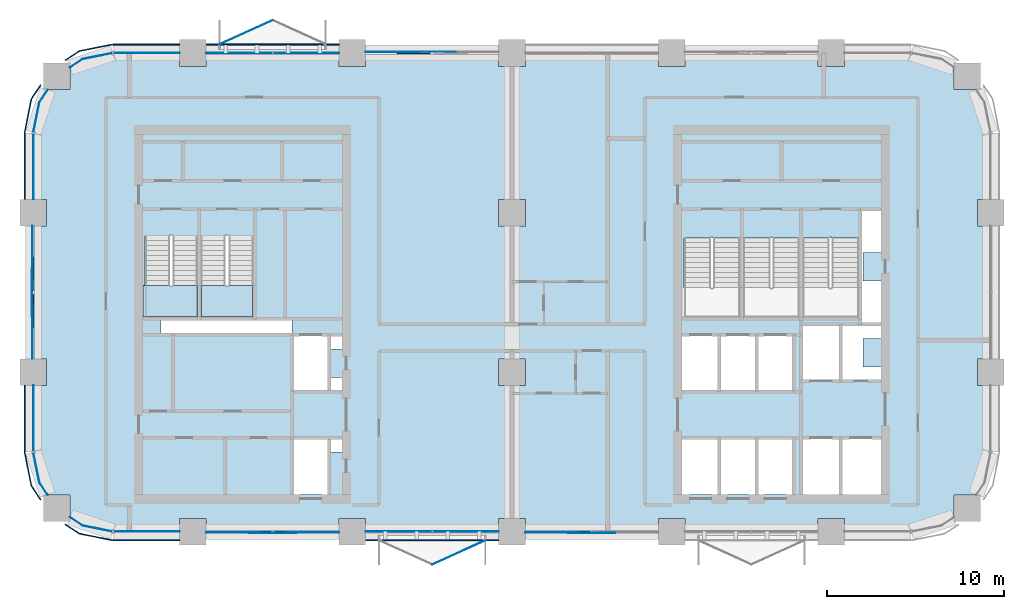
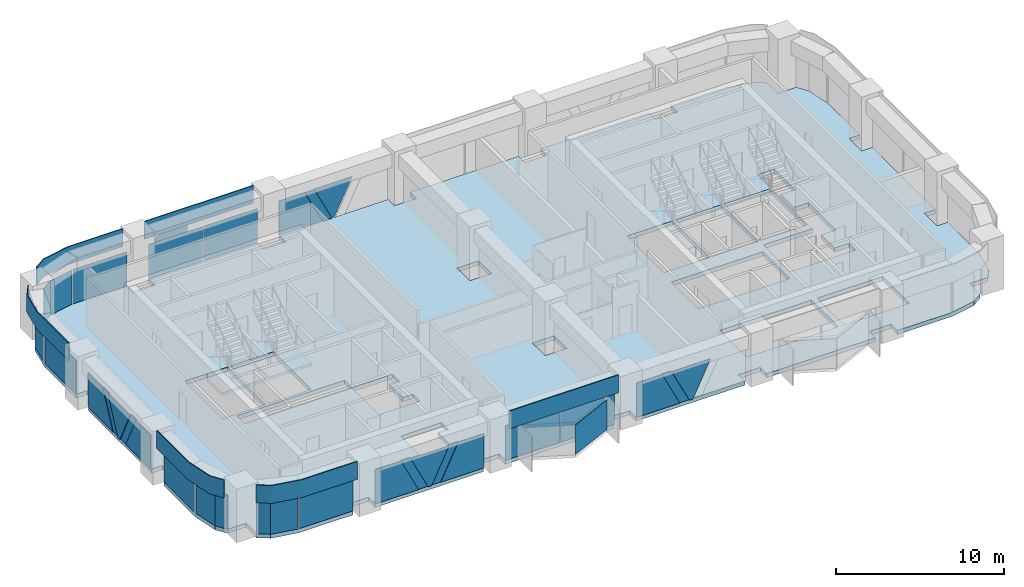
# One storey, part 6 of 13: 36 plates, 3 slabs, 12 elements without a shape of their own.
"""IFC4 building model written with IfcOpenShell, lengths in metres."""

from ifc_helpers import new_model, si_unit, direction, frame, origin, origin_2d, place, context, subcontext, project, spatial, polyline, rectangle, outline, extrude, material, layer, layer_set, type_object, element, aggregate, save


model = new_model("IFC4")

# Units and contexts
model_context = context("Model", 3, precision=1e-05, world=origin(), true_north=direction((0.0, 1.0)))
body_context = subcontext(model_context, "Body", "Model", "MODEL_VIEW")
ifc_project = project(units=[si_unit("LENGTHUNIT", "METRE"), si_unit("AREAUNIT", "SQUARE_METRE"), si_unit("VOLUMEUNIT", "CUBIC_METRE"), si_unit("PLANEANGLEUNIT", "RADIAN"), si_unit("MASSUNIT", "GRAM", prefix="KILO")], contexts=[model_context])

# Site, building, storey
site_placement = place(None, origin())
site = spatial("IfcSite", under=ifc_project, at=site_placement, CompositionType="ELEMENT")
building_placement = place(site_placement, origin())
building = spatial("IfcBuilding", under=site, at=building_placement, Name="Tessera Arch", CompositionType="ELEMENT")
storey_placement = place(building_placement, frame((0.0, 0.0, 189.5)))
storey = spatial("IfcBuildingStorey", under=building, at=storey_placement, Name="L45", CompositionType="ELEMENT", Elevation=189.5)

# Curtain wall, plates
ifc_material_1 = material(Name="CW1 curtain wall")
curtain_wall_type_1 = type_object("IfcCurtainWallType", Name="CW1 curtain wall", PredefinedType="NOTDEFINED", material=ifc_material_1)
curtain_wall_1_placement = place(storey_placement, origin())
curtain_wall_1 = element("IfcCurtainWall", 1, at=curtain_wall_1_placement, inside=storey, type_object=curtain_wall_type_1, Name="CW1 curtain wall N54.0/4 L45", PredefinedType="NOTDEFINED")
ifc_material_2 = material(Name="Clear low-e glass", Category="glass")
ifc_material_3 = material(Name="Clear low-e glass", Category="glass")
ifc_layer_1 = layer(ifc_material_3, 0.028076171875)
ifc_layer_set_1 = layer_set([ifc_layer_1], Name="CW1 glass panel")
plate_type_1 = type_object("IfcPlateType", Name="CW1 glass panel", PredefinedType="CURTAIN_PANEL", material=ifc_layer_set_1)
plate_1_placement = place(storey_placement, frame((15.389892578125, 54.0, 0.0), z_axis=(0.0, 0.0, 1.0), x_axis=(-1.0, 0.0, 0.0)))
plate_1 = element("IfcPlate", 2, at=plate_1_placement, type_object=plate_type_1, material=ifc_material_2, Name="CW1 glass panel N54.0/4 1.1.1", PredefinedType="CURTAIN_PANEL", context=body_context, shape_type="SweptSolid", body=[
    extrude(rectangle(XDim=3.719970703125, YDim=0.028076171875, at=origin_2d()), origin(), (0.0, 0.0, 1.0), 2.5),
])
plate_2_placement = place(storey_placement, frame((11.610107421875, 54.0, 0.0), z_axis=(0.0, 0.0, 1.0), x_axis=(-1.0, 0.0, 0.0)))
plate_2 = element("IfcPlate", 3, at=plate_2_placement, type_object=plate_type_1, material=ifc_material_2, Name="CW1 glass panel N54.0/4 1.2.1", PredefinedType="CURTAIN_PANEL", context=body_context, shape_type="SweptSolid", body=[
    extrude(rectangle(XDim=3.719970703125, YDim=0.028076171875, at=origin_2d()), origin(), (0.0, 0.0, 1.0), 2.5),
])

curtain_wall_2_placement = place(storey_placement, origin())
curtain_wall_2 = element("IfcCurtainWall", 4, at=curtain_wall_2_placement, inside=storey, type_object=curtain_wall_type_1, Name="CW1 curtain wall S27.0/2 L45", PredefinedType="NOTDEFINED")
plate_3_placement = place(storey_placement, frame((20.610107421875, 27.0, 0.0), z_axis=(0.0, 0.0, 1.0), x_axis=(1.0, 0.0, 0.0)))
plate_3 = element("IfcPlate", 5, at=plate_3_placement, type_object=plate_type_1, material=ifc_material_2, Name="CW1 glass panel S27.0/2 1.1.1", PredefinedType="CURTAIN_PANEL", context=body_context, shape_type="SweptSolid", body=[
    extrude(rectangle(XDim=3.719970703125, YDim=0.028076171875, at=origin_2d()), origin(), (0.0, 0.0, 1.0), 2.5),
])
plate_4_placement = place(storey_placement, frame((24.389892578125, 27.0, 0.0), z_axis=(0.0, 0.0, 1.0), x_axis=(1.0, 0.0, 0.0)))
plate_4 = element("IfcPlate", 6, at=plate_4_placement, type_object=plate_type_1, material=ifc_material_2, Name="CW1 glass panel S27.0/2 1.2.1", PredefinedType="CURTAIN_PANEL", context=body_context, shape_type="SweptSolid", body=[
    extrude(rectangle(XDim=3.719970703125, YDim=0.028076171875, at=origin_2d()), origin(), (0.0, 0.0, 1.0), 2.5),
])

# Plate
ifc_material_4 = material(Name="Pale anodised aluminium panel", Category="aluminium")
ifc_layer_2 = layer(ifc_material_4, 0.06005859375)
ifc_layer_set_2 = layer_set([ifc_layer_2], Name="CW1 spandrel panel")
plate_type_2 = type_object("IfcPlateType", Name="CW1 spandrel panel", PredefinedType="CURTAIN_PANEL", material=ifc_layer_set_2)
plate_5_placement = place(storey_placement, frame((13.5, 54.47998046875, 2.60009765625), z_axis=(0.0, 0.0, 1.0), x_axis=(-1.0, 0.0, 0.0)))
plate_5 = element("IfcPlate", 7, at=plate_5_placement, type_object=plate_type_2, Name="CW1 spandrel panel N54.0/4", PredefinedType="CURTAIN_PANEL", context=body_context, shape_type="SweptSolid", body=[
    extrude(rectangle(XDim=7.5, YDim=0.06005859375, at=origin_2d()), origin(), (0.0, 0.0, 1.0), 1.300048828125),
])

aggregate(curtain_wall_1, [plate_1, plate_2, plate_5])

plate_6_placement = place(storey_placement, frame((22.5, 26.52001953125, 2.60009765625), z_axis=(0.0, 0.0, 1.0), x_axis=(1.0, 0.0, 0.0)))
plate_6 = element("IfcPlate", 8, at=plate_6_placement, type_object=plate_type_2, Name="CW1 spandrel panel S27.0/2", PredefinedType="CURTAIN_PANEL", context=body_context, shape_type="SweptSolid", body=[
    extrude(rectangle(XDim=7.5, YDim=0.06005859375, at=origin_2d()), origin(), (0.0, 0.0, 1.0), 1.300048828125),
])

aggregate(curtain_wall_2, [plate_3, plate_4, plate_6])

# Curtain wall, plates
ifc_material_5 = material(Name="CW2 curtain wall")
curtain_wall_type_2 = type_object("IfcCurtainWallType", Name="CW2 curtain wall", PredefinedType="NOTDEFINED", material=ifc_material_5)
curtain_wall_3_placement = place(storey_placement, origin())
curtain_wall_3 = element("IfcCurtainWall", 9, at=curtain_wall_3_placement, inside=storey, type_object=curtain_wall_type_2, Name="CW2 curtain wall N54.0/5 L45", PredefinedType="NOTDEFINED")
ifc_material_6 = material(Name="Clear low-e glass", Category="glass")
ifc_layer_3 = layer(ifc_material_6, 0.028076171875)
ifc_layer_set_3 = layer_set([ifc_layer_3], Name="CW2 glass panel")
plate_type_3 = type_object("IfcPlateType", Name="CW2 glass panel", PredefinedType="CURTAIN_PANEL", material=ifc_layer_set_3)
plate_7_placement = place(storey_placement, frame((6.39501953125, 54.0, 0.0), z_axis=(0.0, 0.0, 1.0), x_axis=(-1.0, 0.0, 0.0)))
plate_7 = element("IfcPlate", 10, at=plate_7_placement, type_object=plate_type_3, material=ifc_material_2, Name="CW2 glass panel N54.0/5 1.1", PredefinedType="CURTAIN_PANEL", context=body_context, shape_type="SweptSolid", body=[
    extrude(rectangle(XDim=3.7099609375, YDim=0.028076171875, at=origin_2d()), origin(), (0.0, 0.0, 1.0), 2.5),
])
plate_8_placement = place(storey_placement, origin())
plate_8 = element("IfcPlate", 11, at=plate_8_placement, type_object=plate_type_3, material=ifc_material_2, Name="CW2 curved glass panel N54.0/5 2.1", PredefinedType="CURTAIN_PANEL", context=body_context, shape_type="SweptSolid", body=[
    extrude(outline(polyline([(2.783447265625, 53.644287109375), (4.46337890625, 53.978515625), (4.4580078125, 54.005859375), (2.7724609375, 53.670654296875), (2.060302734375, 53.19482421875), (2.07568359375, 53.17138671875), (2.783447265625, 53.644287109375)])), origin(), (0.0, 0.0, 1.0), 2.5),
])

curtain_wall_4_placement = place(storey_placement, origin())
curtain_wall_4 = element("IfcCurtainWall", 12, at=curtain_wall_4_placement, inside=storey, type_object=curtain_wall_type_2, Name="CW2 curtain wall W0.27/0 L45", PredefinedType="NOTDEFINED")
plate_9_placement = place(storey_placement, frame((0.0, 47.60498046875, 0.0), z_axis=(0.0, 0.0, 1.0), x_axis=(0.0, -1.0, 0.0)))
plate_9 = element("IfcPlate", 13, at=plate_9_placement, type_object=plate_type_3, material=ifc_material_2, Name="CW2 glass panel W0.27/0 1.1", PredefinedType="CURTAIN_PANEL", context=body_context, shape_type="SweptSolid", body=[
    extrude(rectangle(XDim=3.7099609375, YDim=0.028076171875, at=origin_2d()), origin(), (0.0, 0.0, 1.0), 2.5),
])
plate_10_placement = place(storey_placement, origin())
plate_10 = element("IfcPlate", 14, at=plate_10_placement, type_object=plate_type_3, material=ifc_material_2, Name="CW2 curved glass panel W0.27/0 2.1", PredefinedType="CURTAIN_PANEL", context=body_context, shape_type="SweptSolid", body=[
    extrude(outline(polyline([(0.355712890625, 51.216552734375), (0.82861328125, 51.92431640625), (0.80517578125, 51.939697265625), (0.329345703125, 51.2275390625), (-0.005859375, 49.5419921875), (0.021484375, 49.53662109375), (0.355712890625, 51.216552734375)])), origin(), (0.0, 0.0, 1.0), 2.5),
])

curtain_wall_5_placement = place(storey_placement, origin())
curtain_wall_5 = element("IfcCurtainWall", 15, at=curtain_wall_5_placement, inside=storey, type_object=curtain_wall_type_2, Name="CW2 curtain wall W0.27/2 L45", PredefinedType="NOTDEFINED")
plate_11_placement = place(storey_placement, frame((0.0, 33.39501953125, 0.0), z_axis=(0.0, 0.0, 1.0), x_axis=(0.0, -1.0, 0.0)))
plate_11 = element("IfcPlate", 16, at=plate_11_placement, type_object=plate_type_3, material=ifc_material_2, Name="CW2 glass panel W0.27/2 1.1", PredefinedType="CURTAIN_PANEL", context=body_context, shape_type="SweptSolid", body=[
    extrude(rectangle(XDim=3.7099609375, YDim=0.028076171875, at=origin_2d()), origin(), (0.0, 0.0, 1.0), 2.5),
])
plate_12_placement = place(storey_placement, origin())
plate_12 = element("IfcPlate", 17, at=plate_12_placement, type_object=plate_type_3, material=ifc_material_2, Name="CW2 curved glass panel W0.27/2 2.1", PredefinedType="CURTAIN_PANEL", context=body_context, shape_type="SweptSolid", body=[
    extrude(outline(polyline([(0.355712890625, 29.783447265625), (0.021484375, 31.46337890625), (-0.005859375, 31.4580078125), (0.329345703125, 29.7724609375), (0.80517578125, 29.060302734375), (0.82861328125, 29.07568359375), (0.355712890625, 29.783447265625)])), origin(), (0.0, 0.0, 1.0), 2.5),
])

curtain_wall_6_placement = place(storey_placement, origin())
curtain_wall_6 = element("IfcCurtainWall", 18, at=curtain_wall_6_placement, inside=storey, type_object=curtain_wall_type_2, Name="CW2 curtain wall S27.0/0 L45", PredefinedType="NOTDEFINED")
plate_13_placement = place(storey_placement, frame((6.39501953125, 27.0, 0.0), z_axis=(0.0, 0.0, 1.0), x_axis=(1.0, 0.0, 0.0)))
plate_13 = element("IfcPlate", 19, at=plate_13_placement, type_object=plate_type_3, material=ifc_material_2, Name="CW2 glass panel S27.0/0 1.1", PredefinedType="CURTAIN_PANEL", context=body_context, shape_type="SweptSolid", body=[
    extrude(rectangle(XDim=3.7099609375, YDim=0.028076171875, at=origin_2d()), origin(), (0.0, 0.0, 1.0), 2.5),
])
plate_14_placement = place(storey_placement, origin())
plate_14 = element("IfcPlate", 20, at=plate_14_placement, type_object=plate_type_3, material=ifc_material_2, Name="CW2 curved glass panel S27.0/0 2.1", PredefinedType="CURTAIN_PANEL", context=body_context, shape_type="SweptSolid", body=[
    extrude(outline(polyline([(2.783447265625, 27.355712890625), (2.07568359375, 27.82861328125), (2.060302734375, 27.80517578125), (2.7724609375, 27.329345703125), (4.4580078125, 26.994140625), (4.46337890625, 27.021484375), (2.783447265625, 27.355712890625)])), origin(), (0.0, 0.0, 1.0), 2.5),
])

# Plate
ifc_material_7 = material(Name="Pale anodised aluminium panel", Category="aluminium")
ifc_layer_4 = layer(ifc_material_7, 0.06005859375)
ifc_layer_set_4 = layer_set([ifc_layer_4], Name="CW2 spandrel panel")
plate_type_4 = type_object("IfcPlateType", Name="CW2 spandrel panel", PredefinedType="CURTAIN_PANEL", material=ifc_layer_set_4)
plate_15_placement = place(storey_placement, frame((0.0, 0.0, 2.60009765625)))
plate_15 = element("IfcPlate", 21, at=plate_15_placement, type_object=plate_type_4, Name="CW2 spandrel panel N54.0/5", PredefinedType="CURTAIN_PANEL", context=body_context, shape_type="SweptSolid", body=[
    extrude(outline(polyline([(4.500732421875, 54.449951171875), (8.25, 54.449951171875), (8.25, 54.510009765625), (4.499267578125, 54.510009765625), (4.449951171875, 54.507568359375), (4.401123046875, 54.500244140625), (2.677734375, 54.157470703125), (2.6298828125, 54.1455078125), (2.582763671875, 54.128662109375), (2.537353515625, 54.107421875), (2.4951171875, 54.08203125), (1.78466796875, 53.607177734375), (1.81787109375, 53.55712890625), (2.52734375, 54.03125), (2.565673828125, 54.054443359375), (2.605712890625, 54.0732421875), (2.647216796875, 54.088134765625), (2.69091796875, 54.09912109375), (4.411376953125, 54.441162109375), (4.455810546875, 54.44775390625), (4.500732421875, 54.449951171875)])), origin(), (0.0, 0.0, 1.0), 1.2998046875),
])

aggregate(curtain_wall_3, [plate_7, plate_8, plate_15])

plate_16_placement = place(storey_placement, frame((0.0, 0.0, 2.60009765625)))
plate_16 = element("IfcPlate", 22, at=plate_16_placement, type_object=plate_type_4, Name="CW2 spandrel panel W0.27/0", PredefinedType="CURTAIN_PANEL", context=body_context, shape_type="SweptSolid", body=[
    extrude(outline(polyline([(-0.03125, 51.47265625), (0.44287109375, 52.18212890625), (0.392822265625, 52.21533203125), (-0.08203125, 51.5048828125), (-0.107421875, 51.462646484375), (-0.128662109375, 51.417236328125), (-0.1455078125, 51.3701171875), (-0.157470703125, 51.322265625), (-0.500244140625, 49.598876953125), (-0.507568359375, 49.550048828125), (-0.510009765625, 49.500732421875), (-0.510009765625, 45.75), (-0.449951171875, 45.75), (-0.449951171875, 49.499267578125), (-0.44775390625, 49.544189453125), (-0.441162109375, 49.588623046875), (-0.09912109375, 51.30908203125), (-0.088134765625, 51.352783203125), (-0.0732421875, 51.394287109375), (-0.054443359375, 51.434326171875), (-0.03125, 51.47265625)])), origin(), (0.0, 0.0, 1.0), 1.2998046875),
])

aggregate(curtain_wall_4, [plate_9, plate_10, plate_16])

plate_17_placement = place(storey_placement, frame((0.0, 0.0, 2.60009765625)))
plate_17 = element("IfcPlate", 23, at=plate_17_placement, type_object=plate_type_4, Name="CW2 spandrel panel W0.27/2", PredefinedType="CURTAIN_PANEL", context=body_context, shape_type="SweptSolid", body=[
    extrude(outline(polyline([(-0.449951171875, 31.500732421875), (-0.449951171875, 35.25), (-0.510009765625, 35.25), (-0.510009765625, 31.499267578125), (-0.507568359375, 31.449951171875), (-0.500244140625, 31.401123046875), (-0.157470703125, 29.677734375), (-0.1455078125, 29.6298828125), (-0.128662109375, 29.582763671875), (-0.107421875, 29.537353515625), (-0.08203125, 29.4951171875), (0.392822265625, 28.78466796875), (0.44287109375, 28.81787109375), (-0.03125, 29.52734375), (-0.054443359375, 29.565673828125), (-0.0732421875, 29.605712890625), (-0.088134765625, 29.647216796875), (-0.09912109375, 29.69091796875), (-0.441162109375, 31.411376953125), (-0.44775390625, 31.455810546875), (-0.449951171875, 31.500732421875)])), origin(), (0.0, 0.0, 1.0), 1.2998046875),
])

aggregate(curtain_wall_5, [plate_11, plate_12, plate_17])

plate_18_placement = place(storey_placement, frame((0.0, 0.0, 2.60009765625)))
plate_18 = element("IfcPlate", 24, at=plate_18_placement, type_object=plate_type_4, Name="CW2 spandrel panel S27.0/0", PredefinedType="CURTAIN_PANEL", context=body_context, shape_type="SweptSolid", body=[
    extrude(outline(polyline([(2.52734375, 26.96875), (1.81787109375, 27.44287109375), (1.78466796875, 27.392822265625), (2.4951171875, 26.91796875), (2.537353515625, 26.892578125), (2.582763671875, 26.871337890625), (2.6298828125, 26.8544921875), (2.677734375, 26.842529296875), (4.401123046875, 26.499755859375), (4.449951171875, 26.492431640625), (4.499267578125, 26.489990234375), (8.25, 26.489990234375), (8.25, 26.550048828125), (4.500732421875, 26.550048828125), (4.455810546875, 26.55224609375), (4.411376953125, 26.558837890625), (2.69091796875, 26.90087890625), (2.647216796875, 26.911865234375), (2.605712890625, 26.9267578125), (2.565673828125, 26.945556640625), (2.52734375, 26.96875)])), origin(), (0.0, 0.0, 1.0), 1.2998046875),
])

aggregate(curtain_wall_6, [plate_13, plate_14, plate_18])

# Curtain wall, plate
ifc_material_8 = material(Name="CW3 curtain wall")
curtain_wall_type_3 = type_object("IfcCurtainWallType", Name="CW3 curtain wall", PredefinedType="NOTDEFINED", material=ifc_material_8)
curtain_wall_7_placement = place(storey_placement, origin())
curtain_wall_7 = element("IfcCurtainWall", 25, at=curtain_wall_7_placement, inside=storey, type_object=curtain_wall_type_3, Name="CW3 curtain wall N54.0/3 L45", PredefinedType="NOTDEFINED")
ifc_material_9 = material(Name="Pale anodised aluminium panel", Category="aluminium")
ifc_layer_5 = layer(ifc_material_9, 0.06005859375)
ifc_layer_set_5 = layer_set([ifc_layer_5], Name="CW3 diagonal panel")
plate_type_5 = type_object("IfcPlateType", Name="CW3 diagonal panel", PredefinedType="CURTAIN_PANEL", material=ifc_layer_set_5)
plate_19_placement = place(storey_placement, frame((20.523193359375, 54.030029296875, 2.5), z_axis=(0.0, 1.0, 0.0), x_axis=(1.0, 0.0, 0.0)))
plate_19 = element("IfcPlate", 26, at=plate_19_placement, type_object=plate_type_5, Name="CW3 diagonal panel N54.0/3 1", PredefinedType="CURTAIN_PANEL", context=body_context, shape_type="SweptSolid", body=[
    extrude(outline(polyline([(0.0, 0.0), (0.641845703125, 0.0), (1.859375, 2.5), (1.217529296875, 2.5), (0.0, 0.0)])), origin(), (0.0, 0.0, -1.0), 0.06005859375),
])

# Curtain wall, plates
curtain_wall_8_placement = place(storey_placement, origin())
curtain_wall_8 = element("IfcCurtainWall", 27, at=curtain_wall_8_placement, inside=storey, type_object=curtain_wall_type_3, Name="CW3 curtain wall W0.27/1 L45", PredefinedType="NOTDEFINED")
plate_20_placement = place(storey_placement, frame((-0.030029296875, 38.523193359375, 2.5), z_axis=(-1.0, 0.0, 0.0), x_axis=(0.0, 1.0, 0.0)))
plate_20 = element("IfcPlate", 28, at=plate_20_placement, type_object=plate_type_5, Name="CW3 diagonal panel W0.27/1 1", PredefinedType="CURTAIN_PANEL", context=body_context, shape_type="SweptSolid", body=[
    extrude(outline(polyline([(0.0, 0.0), (0.641845703125, 0.0), (1.859375, 2.5), (1.217529296875, 2.5), (0.0, 0.0)])), origin(), (0.0, 0.0, -1.0), 0.06005859375),
])
plate_21_placement = place(storey_placement, frame((-0.030029296875, 41.8349609375, 2.5), z_axis=(-1.0, 0.0, 0.0), x_axis=(0.0, 1.0, 0.0)))
plate_21 = element("IfcPlate", 29, at=plate_21_placement, type_object=plate_type_5, Name="CW3 diagonal panel W0.27/1 2", PredefinedType="CURTAIN_PANEL", context=body_context, shape_type="SweptSolid", body=[
    extrude(outline(polyline([(0.0, 0.0), (0.641845703125, 0.0), (-0.57568359375, 2.5), (-1.217529296875, 2.5), (0.0, 0.0)])), origin(), (0.0, 0.0, -1.0), 0.06005859375),
])

curtain_wall_9_placement = place(storey_placement, origin())
curtain_wall_9 = element("IfcCurtainWall", 30, at=curtain_wall_9_placement, inside=storey, type_object=curtain_wall_type_3, Name="CW3 curtain wall S27.0/1 L45", PredefinedType="NOTDEFINED")
plate_22_placement = place(storey_placement, frame((15.476806640625, 26.969970703125, 2.5), z_axis=(0.0, -1.0, 0.0), x_axis=(-1.0, 0.0, 0.0)))
plate_22 = element("IfcPlate", 31, at=plate_22_placement, type_object=plate_type_5, Name="CW3 diagonal panel S27.0/1 1", PredefinedType="CURTAIN_PANEL", context=body_context, shape_type="SweptSolid", body=[
    extrude(outline(polyline([(0.0, 0.0), (0.641845703125, 0.0), (1.859375, 2.5), (1.217529296875, 2.5), (0.0, 0.0)])), origin(), (0.0, 0.0, -1.0), 0.06005859375),
])
plate_23_placement = place(storey_placement, frame((12.1650390625, 26.969970703125, 2.5), z_axis=(0.0, -1.0, 0.0), x_axis=(-1.0, 0.0, 0.0)))
plate_23 = element("IfcPlate", 32, at=plate_23_placement, type_object=plate_type_5, Name="CW3 diagonal panel S27.0/1 2", PredefinedType="CURTAIN_PANEL", context=body_context, shape_type="SweptSolid", body=[
    extrude(outline(polyline([(0.0, 0.0), (0.641845703125, 0.0), (-0.57568359375, 2.5), (-1.217529296875, 2.5), (0.0, 0.0)])), origin(), (0.0, 0.0, -1.0), 0.06005859375),
])

# Curtain wall, plate
curtain_wall_10_placement = place(storey_placement, origin())
curtain_wall_10 = element("IfcCurtainWall", 33, at=curtain_wall_10_placement, inside=storey, type_object=curtain_wall_type_3, Name="CW3 curtain wall S27.0/3 L45", PredefinedType="NOTDEFINED")
plate_24_placement = place(storey_placement, frame((30.1650390625, 26.969970703125, 2.5), z_axis=(0.0, -1.0, 0.0), x_axis=(-1.0, 0.0, 0.0)))
plate_24 = element("IfcPlate", 34, at=plate_24_placement, type_object=plate_type_5, Name="CW3 diagonal panel S27.0/3 2", PredefinedType="CURTAIN_PANEL", context=body_context, shape_type="SweptSolid", body=[
    extrude(outline(polyline([(0.0, 0.0), (0.641845703125, 0.0), (-0.57568359375, 2.5), (-1.217529296875, 2.5), (0.0, 0.0)])), origin(), (0.0, 0.0, -1.0), 0.06005859375),
])

# Plate
ifc_material_10 = material(Name="Clear low-e glass", Category="glass")
ifc_layer_6 = layer(ifc_material_10, 0.028076171875)
ifc_layer_set_6 = layer_set([ifc_layer_6], Name="CW3 glass panel")
plate_type_6 = type_object("IfcPlateType", Name="CW3 glass panel", PredefinedType="CURTAIN_PANEL", material=ifc_layer_set_6)
plate_25_placement = place(storey_placement, frame((21.1650390625, 54.0859375, 2.5), z_axis=(0.0, 1.0, 0.0), x_axis=(1.0, 0.0, 0.0)))
plate_25 = element("IfcPlate", 35, at=plate_25_placement, type_object=plate_type_6, material=ifc_material_2, Name="CW3 triangulated glass panel N54.0/3 2", PredefinedType="CURTAIN_PANEL", context=body_context, shape_type="SweptSolid", body=[
    extrude(outline(polyline([(0.0, 0.0), (2.669921875, 0.0), (1.452392578125, 2.5), (1.217529296875, 2.5), (0.0, 0.0)])), origin(), (0.0, 0.0, -1.0), 0.028076171875),
])

plate_26_placement = place(storey_placement, frame((18.75, 54.05810546875, 2.5), z_axis=(0.0, 1.0, 0.0), x_axis=(1.0, 0.0, 0.0)))
plate_26 = element("IfcPlate", 36, at=plate_26_placement, type_object=plate_type_6, material=ifc_material_2, Name="CW3 triangulated glass panel N54.0/3 3", PredefinedType="CURTAIN_PANEL", context=body_context, shape_type="SweptSolid", body=[
    extrude(outline(polyline([(0.0, 0.0), (1.773193359375, 0.0), (2.99072265625, 2.5), (0.0, 2.5), (0.0, 0.0)])), origin(), (0.0, 0.0, -1.0), 0.028076171875),
])

aggregate(curtain_wall_7, [plate_25, plate_26, plate_19])

plate_27_placement = place(storey_placement, frame((-0.05810546875, 44.25, 0.0), z_axis=(-1.0, 0.0, 0.0), x_axis=(0.0, -1.0, 0.0)))
plate_27 = element("IfcPlate", 37, at=plate_27_placement, type_object=plate_type_6, material=ifc_material_2, Name="CW3 triangulated glass panel W0.27/1 1", PredefinedType="CURTAIN_PANEL", context=body_context, shape_type="SweptSolid", body=[
    extrude(outline(polyline([(0.0, 0.0), (2.99072265625, 0.0), (1.773193359375, 2.5), (0.0, 2.5), (0.0, 0.0)])), origin(), (0.0, 0.0, -1.0), 0.028076171875),
])

plate_28_placement = place(storey_placement, frame((-0.0859375, 39.1650390625, 2.5), z_axis=(-1.0, 0.0, 0.0), x_axis=(0.0, 1.0, 0.0)))
plate_28 = element("IfcPlate", 38, at=plate_28_placement, type_object=plate_type_6, material=ifc_material_2, Name="CW3 triangulated glass panel W0.27/1 2", PredefinedType="CURTAIN_PANEL", context=body_context, shape_type="SweptSolid", body=[
    extrude(outline(polyline([(0.0, 0.0), (2.669921875, 0.0), (1.452392578125, 2.5), (1.217529296875, 2.5), (0.0, 0.0)])), origin(), (0.0, 0.0, -1.0), 0.028076171875),
])

plate_29_placement = place(storey_placement, frame((-0.05810546875, 36.75, 2.5), z_axis=(-1.0, 0.0, 0.0), x_axis=(0.0, 1.0, 0.0)))
plate_29 = element("IfcPlate", 39, at=plate_29_placement, type_object=plate_type_6, material=ifc_material_2, Name="CW3 triangulated glass panel W0.27/1 3", PredefinedType="CURTAIN_PANEL", context=body_context, shape_type="SweptSolid", body=[
    extrude(outline(polyline([(0.0, 0.0), (1.773193359375, 0.0), (2.99072265625, 2.5), (0.0, 2.5), (0.0, 0.0)])), origin(), (0.0, 0.0, -1.0), 0.028076171875),
])

aggregate(curtain_wall_8, [plate_27, plate_28, plate_29, plate_20, plate_21])

plate_30_placement = place(storey_placement, frame((9.75, 26.94189453125, 0.0), z_axis=(0.0, -1.0, 0.0), x_axis=(1.0, 0.0, 0.0)))
plate_30 = element("IfcPlate", 40, at=plate_30_placement, type_object=plate_type_6, material=ifc_material_2, Name="CW3 triangulated glass panel S27.0/1 1", PredefinedType="CURTAIN_PANEL", context=body_context, shape_type="SweptSolid", body=[
    extrude(outline(polyline([(0.0, 0.0), (2.99072265625, 0.0), (1.773193359375, 2.5), (0.0, 2.5), (0.0, 0.0)])), origin(), (0.0, 0.0, -1.0), 0.028076171875),
])

plate_31_placement = place(storey_placement, frame((14.8349609375, 26.9140625, 2.5), z_axis=(0.0, -1.0, 0.0), x_axis=(-1.0, 0.0, 0.0)))
plate_31 = element("IfcPlate", 41, at=plate_31_placement, type_object=plate_type_6, material=ifc_material_2, Name="CW3 triangulated glass panel S27.0/1 2", PredefinedType="CURTAIN_PANEL", context=body_context, shape_type="SweptSolid", body=[
    extrude(outline(polyline([(0.0, 0.0), (2.669921875, 0.0), (1.452392578125, 2.5), (1.217529296875, 2.5), (0.0, 0.0)])), origin(), (0.0, 0.0, -1.0), 0.028076171875),
])

plate_32_placement = place(storey_placement, frame((17.25, 26.94189453125, 2.5), z_axis=(0.0, -1.0, 0.0), x_axis=(-1.0, 0.0, 0.0)))
plate_32 = element("IfcPlate", 42, at=plate_32_placement, type_object=plate_type_6, material=ifc_material_2, Name="CW3 triangulated glass panel S27.0/1 3", PredefinedType="CURTAIN_PANEL", context=body_context, shape_type="SweptSolid", body=[
    extrude(outline(polyline([(0.0, 0.0), (1.773193359375, 0.0), (2.99072265625, 2.5), (0.0, 2.5), (0.0, 0.0)])), origin(), (0.0, 0.0, -1.0), 0.028076171875),
])

aggregate(curtain_wall_9, [plate_30, plate_31, plate_32, plate_22, plate_23])

plate_33_placement = place(storey_placement, frame((27.75, 26.94189453125, 0.0), z_axis=(0.0, -1.0, 0.0), x_axis=(1.0, 0.0, 0.0)))
plate_33 = element("IfcPlate", 43, at=plate_33_placement, type_object=plate_type_6, material=ifc_material_2, Name="CW3 triangulated glass panel S27.0/3 1", PredefinedType="CURTAIN_PANEL", context=body_context, shape_type="SweptSolid", body=[
    extrude(outline(polyline([(0.0, 0.0), (2.99072265625, 0.0), (1.773193359375, 2.5), (0.0, 2.5), (0.0, 0.0)])), origin(), (0.0, 0.0, -1.0), 0.028076171875),
])

plate_34_placement = place(storey_placement, frame((32.8349609375, 26.9140625, 2.5), z_axis=(0.0, -1.0, 0.0), x_axis=(-1.0, 0.0, 0.0)))
plate_34 = element("IfcPlate", 44, at=plate_34_placement, type_object=plate_type_6, material=ifc_material_2, Name="CW3 triangulated glass panel S27.0/3 2", PredefinedType="CURTAIN_PANEL", context=body_context, shape_type="SweptSolid", body=[
    extrude(outline(polyline([(0.0, 0.0), (2.669921875, 0.0), (1.452392578125, 2.5), (1.217529296875, 2.5), (0.0, 0.0)])), origin(), (0.0, 0.0, -1.0), 0.028076171875),
])

aggregate(curtain_wall_10, [plate_33, plate_34, plate_24])

# Slab
ifc_material_11 = material(Name="Concrete C40/50", Category="concrete")
ifc_layer_7 = layer(ifc_material_11, 0.300048828125)
ifc_layer_set_7 = layer_set([ifc_layer_7], Name="Floor slab 300 Concrete C40/50")
slab_type_1 = type_object("IfcSlabType", Name="Floor slab 300 Concrete C40/50", PredefinedType="FLOOR", material=ifc_layer_set_7)
slab_1_placement = place(storey_placement, frame((0.0, 0.0, -0.300048828125)))
element("IfcSlab", 45, at=slab_1_placement, inside=storey, type_object=slab_type_1, Name="Floor slab L45 1", PredefinedType="FLOOR", context=body_context, shape_type="SweptSolid", body=[
    extrude(outline(polyline([(54.0, 31.5), (53.657470703125, 29.77783203125), (53.18310546875, 29.068115234375), (51.931884765625, 29.068115234375), (51.931884765625, 27.81689453125), (51.22216796875, 27.342529296875), (49.5, 27.0), (45.75, 27.0), (45.75, 27.75), (44.25, 27.75), (44.25, 27.0), (36.75, 27.0), (36.75, 27.75), (35.25, 27.75), (35.25, 27.0), (27.75, 27.0), (27.75, 27.75), (26.25, 27.75), (26.25, 27.0), (18.75, 27.0), (18.75, 27.75), (17.25, 27.75), (17.25, 27.0), (9.75, 27.0), (9.75, 27.75), (8.25, 27.75), (8.25, 27.0), (4.5, 27.0), (2.77783203125, 27.342529296875), (2.068115234375, 27.81689453125), (2.068115234375, 29.068115234375), (0.81689453125, 29.068115234375), (0.342529296875, 29.77783203125), (0.0, 31.5), (0.0, 35.25), (0.75, 35.25), (0.75, 36.75), (0.0, 36.75), (0.0, 44.25), (0.75, 44.25), (0.75, 45.75), (0.0, 45.75), (0.0, 49.5), (0.342529296875, 51.22216796875), (0.81689453125, 51.931884765625), (2.068115234375, 51.931884765625), (2.068115234375, 53.18310546875), (2.77783203125, 53.657470703125), (4.5, 54.0), (8.25, 54.0), (8.25, 53.25), (9.75, 53.25), (9.75, 54.0), (17.25, 54.0), (17.25, 53.25), (18.75, 53.25), (18.75, 54.0), (26.25, 54.0), (26.25, 53.25), (27.75, 53.25), (27.75, 54.0), (35.25, 54.0), (35.25, 53.25), (36.75, 53.25), (36.75, 54.0), (44.25, 54.0), (44.25, 53.25), (45.75, 53.25), (45.75, 54.0), (49.5, 54.0), (51.22216796875, 53.657470703125), (51.931884765625, 53.18310546875), (51.931884765625, 51.931884765625), (53.18310546875, 51.931884765625), (53.657470703125, 51.22216796875), (54.0, 49.5), (54.0, 45.75), (53.25, 45.75), (53.25, 44.25), (54.0, 44.25), (54.0, 36.75), (53.25, 36.75), (53.25, 35.25), (54.0, 35.25), (54.0, 31.5)]), holes=[polyline([(14.60009765625, 29.10009765625), (16.699951171875, 29.10009765625), (16.699951171875, 31.5), (17.39990234375, 31.5), (17.39990234375, 32.300048828125), (16.699951171875, 32.300048828125), (14.60009765625, 32.300048828125), (14.60009765625, 29.10009765625)]), polyline([(26.25, 36.75), (26.25, 35.25), (27.75, 35.25), (27.75, 36.75), (26.25, 36.75)]), polyline([(17.39990234375, 37.300048828125), (17.39990234375, 38.10009765625), (16.699951171875, 38.10009765625), (14.60498046875, 38.10009765625), (14.60498046875, 38.10498046875), (14.60009765625, 38.10498046875), (14.60009765625, 39.0), (7.199951171875, 39.0), (7.199951171875, 38.10009765625), (14.594970703125, 38.10009765625), (14.594970703125, 38.094970703125), (14.60009765625, 38.094970703125), (14.60009765625, 34.89990234375), (16.699951171875, 34.89990234375), (17.39990234375, 34.89990234375), (17.39990234375, 35.699951171875), (16.699951171875, 35.699951171875), (16.699951171875, 37.300048828125), (17.39990234375, 37.300048828125)]), polyline([(6.300048828125, 43.68994140625), (6.300048828125, 39.199951171875), (9.25, 39.199951171875), (9.25, 43.68994140625), (7.85009765625, 43.68994140625), (7.85009765625, 43.699951171875), (7.699951171875, 43.699951171875), (7.699951171875, 43.68994140625), (6.300048828125, 43.68994140625)]), polyline([(9.449951171875, 39.199951171875), (12.39990234375, 39.199951171875), (12.39990234375, 43.68994140625), (11.0, 43.68994140625), (11.0, 43.699951171875), (10.85009765625, 43.699951171875), (10.85009765625, 43.68994140625), (9.449951171875, 43.68994140625), (9.449951171875, 39.199951171875)]), polyline([(38.699951171875, 29.10009765625), (40.800048828125, 29.10009765625), (42.89990234375, 29.10009765625), (42.89990234375, 32.300048828125), (40.800048828125, 32.300048828125), (38.699951171875, 32.300048828125), (36.60009765625, 32.300048828125), (36.60009765625, 29.10009765625), (38.699951171875, 29.10009765625)]), polyline([(45.550048828125, 32.300048828125), (43.300048828125, 32.300048828125), (43.300048828125, 29.10009765625), (45.550048828125, 29.10009765625), (47.800048828125, 29.10009765625), (47.800048828125, 32.300048828125), (45.550048828125, 32.300048828125)]), polyline([(40.800048828125, 34.89990234375), (42.89990234375, 34.89990234375), (42.89990234375, 38.10009765625), (40.800048828125, 38.10009765625), (38.699951171875, 38.10009765625), (36.60009765625, 38.10009765625), (36.60009765625, 34.89990234375), (38.699951171875, 34.89990234375), (40.800048828125, 34.89990234375)]), polyline([(47.800048828125, 42.75), (47.800048828125, 45.199951171875), (46.64990234375, 45.199951171875), (46.64990234375, 38.699951171875), (45.550048828125, 38.699951171875), (43.300048828125, 38.699951171875), (43.300048828125, 35.5), (45.550048828125, 35.5), (47.800048828125, 35.5), (47.800048828125, 36.300048828125), (46.800048828125, 36.300048828125), (46.800048828125, 37.89990234375), (47.800048828125, 37.89990234375), (47.800048828125, 38.699951171875), (47.800048828125, 41.14990234375), (46.800048828125, 41.14990234375), (46.800048828125, 42.75), (47.800048828125, 42.75)]), polyline([(36.699951171875, 39.199951171875), (39.85009765625, 39.199951171875), (39.85009765625, 43.570068359375), (38.330078125, 43.570068359375), (38.330078125, 43.580078125), (38.219970703125, 43.580078125), (38.219970703125, 43.570068359375), (36.699951171875, 43.570068359375), (36.699951171875, 39.199951171875)]), polyline([(40.050048828125, 39.199951171875), (43.199951171875, 39.199951171875), (43.199951171875, 43.570068359375), (41.679931640625, 43.570068359375), (41.679931640625, 43.580078125), (41.570068359375, 43.580078125), (41.570068359375, 43.570068359375), (40.050048828125, 43.570068359375), (40.050048828125, 39.199951171875)]), polyline([(43.39990234375, 43.570068359375), (43.39990234375, 39.199951171875), (46.550048828125, 39.199951171875), (46.550048828125, 43.570068359375), (45.030029296875, 43.570068359375), (45.030029296875, 43.580078125), (44.919921875, 43.580078125), (44.919921875, 43.570068359375), (43.39990234375, 43.570068359375)]), polyline([(26.25, 45.75), (26.25, 44.25), (27.75, 44.25), (27.75, 45.75), (26.25, 45.75)])]), origin(), (0.0, 0.0, 1.0), 0.300048828125),
])

# Stair, slab
ifc_material_12 = material(Name="Concrete C40/50", Category="concrete")
stair_type = type_object("IfcStairType", Name="Dogleg stair 1400", PredefinedType="HALF_TURN_STAIR", material=ifc_material_12)
stair_1_placement = place(storey_placement, origin())
stair_1 = element("IfcStair", 46, at=stair_1_placement, inside=storey, type_object=stair_type, Name="L45 S2a", PredefinedType="HALF_TURN_STAIR")
ifc_material_13 = material(Name="Concrete C40/50", Category="concrete")
ifc_layer_8 = layer(ifc_material_13, 0.300048828125)
ifc_layer_set_8 = layer_set([ifc_layer_8], Name="Stair landing 300")
slab_type_2 = type_object("IfcSlabType", Name="Stair landing 300", PredefinedType="LANDING", material=ifc_layer_set_8)
slab_2_placement = place(storey_placement, frame((0.0, 0.0, 1.75)))
slab_2 = element("IfcSlab", 47, at=slab_2_placement, type_object=slab_type_2, Name="S2a landing 1", PredefinedType="LANDING", context=body_context, shape_type="SweptSolid", body=[
    extrude(outline(polyline([(6.199951171875, 40.89990234375), (6.199951171875, 39.10009765625), (9.25, 39.10009765625), (9.25, 40.89990234375), (6.199951171875, 40.89990234375)])), origin(), (0.0, 0.0, 1.0), 0.199951171875),
])
aggregate(stair_1, [slab_2])

stair_2_placement = place(storey_placement, origin())
stair_2 = element("IfcStair", 48, at=stair_2_placement, inside=storey, type_object=stair_type, Name="L45 S2b", PredefinedType="HALF_TURN_STAIR")
slab_3_placement = place(storey_placement, frame((0.0, 0.0, 1.75)))
slab_3 = element("IfcSlab", 49, at=slab_3_placement, type_object=slab_type_2, Name="S2b landing 1", PredefinedType="LANDING", context=body_context, shape_type="SweptSolid", body=[
    extrude(outline(polyline([(9.449951171875, 40.89990234375), (9.449951171875, 39.10009765625), (12.39990234375, 39.10009765625), (12.39990234375, 40.89990234375), (9.449951171875, 40.89990234375)])), origin(), (0.0, 0.0, 1.0), 0.199951171875),
])
aggregate(stair_2, [slab_3])

# Plates
ifc_material_14 = material(Name="Clear low-e glass", Category="glass")
ifc_layer_9 = layer(ifc_material_14, 0.028076171875)
ifc_layer_set_9 = layer_set([ifc_layer_9], Name="Window box glass facet")
plate_type_7 = type_object("IfcPlateType", Name="Window box glass facet", PredefinedType="SHEET", material=ifc_layer_set_9)
for number, where, z_axis, x_axis, name in (
    (50, (12.02490234375, 55.179931640625, 0.22021484375), (0.0, 0.0, 1.0), (0.910472144558, 0.413570397858, 0.0), "Window box N54.0/4.0 2x1 glass"),
    (51, (23.97509765625, 25.820068359375, 0.22021484375), (0.0, 0.0, 1.0), (-0.910472144558, -0.413570397858, 0.0), "Window box S27.0/2.0 2x1 glass"),
):
    element("IfcPlate", number, at=place(storey_placement, frame(where, z_axis=z_axis, x_axis=x_axis)), inside=storey, type_object=plate_type_7, Name=name, PredefinedType="SHEET", context=body_context, shape_type="SweptSolid", body=[
        extrude(rectangle(XDim=3.239990234375, YDim=0.028076171875, at=origin_2d()), origin(), (0.0, 0.0, 1.0), 2.159912109375),
    ])

save(model, "model.ifc")
